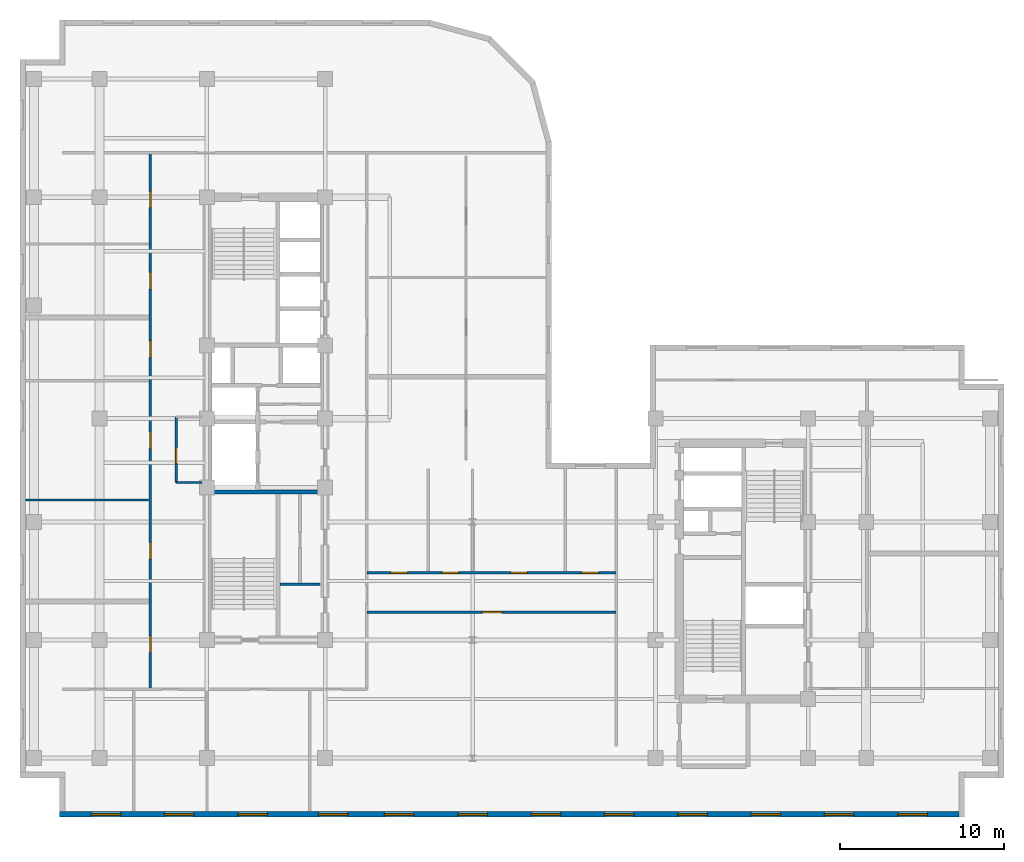
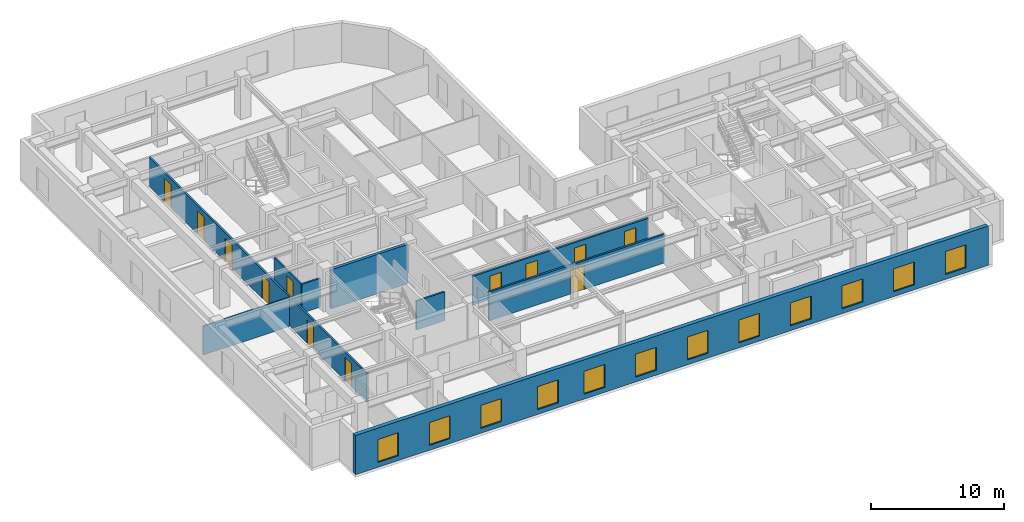
# One storey, part 4 of 11: 12 doors, 12 windows, 9 walls, 24 openings.
"""IFC4 building model written with IfcOpenShell, lengths in metres."""

from ifc_helpers import new_model, entity, si_unit, converted_unit, direction, frame, origin_with_axes, origin_2d_with_axis, place, context, subcontext, project, spatial, polyline, rectangle, outline, extrude, material, layer, layer_set, type_object, element, fill, save


model = new_model("IFC4")

# Units and contexts
model_context = context("Model", 3, precision=1e-05, world=origin_with_axes(), true_north=direction((0.0, 1.0)))
body_context = subcontext(model_context, "Body", "Model", "MODEL_VIEW")
ifc_project = project(units=[si_unit("LENGTHUNIT", "METRE"), si_unit("AREAUNIT", "SQUARE_METRE"), si_unit("VOLUMEUNIT", "CUBIC_METRE"), converted_unit("PLANEANGLEUNIT", "DEGREE", entity("IfcPlaneAngleMeasure", 0.017453292519943295), si_unit("PLANEANGLEUNIT", "RADIAN"), dimensions=[0, 0, 0, 0, 0, 0, 0]), si_unit("MASSUNIT", "GRAM", prefix="KILO"), si_unit("THERMODYNAMICTEMPERATUREUNIT", "KELVIN")], contexts=[model_context])

# Site, building, storey
site_placement = place(None, origin_with_axes())
site = spatial("IfcSite", under=ifc_project, at=site_placement, CompositionType="ELEMENT")
building_placement = place(site_placement, origin_with_axes())
building = spatial("IfcBuilding", under=site, at=building_placement, Name="Varnlund Millrace Tower", CompositionType="ELEMENT")
storey_placement = place(building_placement, frame((0.0, 0.0, 216.0), z_axis=(0.0, 0.0, 1.0), x_axis=(1.0, 0.0, 0.0)))
storey = spatial("IfcBuildingStorey", under=building, at=storey_placement, Name="L53", CompositionType="ELEMENT", Elevation=216.0)

# Wall, openings, windows
ifc_material_1 = material(Name="Precast concrete C50/60", Category="concrete")
ifc_layer_1 = layer(ifc_material_1, 0.34, Name="Precast concrete C50/60")
ifc_layer_set_1 = layer_set([ifc_layer_1], Name="Precast concrete C50/60")
wall_type_1 = type_object("IfcWallType", Name="Type-ExtWall-Precast-Upper-340", PredefinedType="SOLIDWALL", material=ifc_layer_set_1)
wall_1_placement = place(storey_placement, frame((57.26, 0.17, 0.0), z_axis=(0.0, 0.0, 1.0), x_axis=(-1.0, 0.0, 0.0)))
wall_1 = element("IfcWall", 1, at=wall_1_placement, inside=storey, type_object=wall_type_1, Name="Type-ExtWall-Precast-Upper-340", PredefinedType="SOLIDWALL", context=body_context, shape_type="SweptSolid", body=[
    extrude(outline(polyline([(0.0, -0.17), (54.86, -0.17), (54.86, 0.17), (0.0, 0.17), (0.0, -0.17)])), origin_with_axes(), (0.0, 0.0, 1.0), 3.6),
])
opening_1_placement = place(wall_1_placement, frame((2.836, 0.0, 0.45), z_axis=(0.0, 0.0, 1.0), x_axis=(1.0, 0.0, 0.0)))
opening_1 = element("IfcOpeningElement", 2, at=opening_1_placement, cuts=wall_1, Name="Opening L53:WN-08", PredefinedType="OPENING", context=body_context, shape_type="SweptSolid", body=[
    extrude(rectangle(XDim=1.8, YDim=0.36, at=origin_2d_with_axis()), origin_with_axes(), (0.0, 0.0, 1.0), 2.1),
])
opening_2_placement = place(wall_1_placement, frame((7.307, 0.0, 0.45), z_axis=(0.0, 0.0, 1.0), x_axis=(1.0, 0.0, 0.0)))
opening_2 = element("IfcOpeningElement", 3, at=opening_2_placement, cuts=wall_1, Name="Opening L53:WN-09", PredefinedType="OPENING", context=body_context, shape_type="SweptSolid", body=[
    extrude(rectangle(XDim=1.8, YDim=0.36, at=origin_2d_with_axis()), origin_with_axes(), (0.0, 0.0, 1.0), 2.1),
])
opening_3_placement = place(wall_1_placement, frame((11.779, 0.0, 0.45), z_axis=(0.0, 0.0, 1.0), x_axis=(1.0, 0.0, 0.0)))
opening_3 = element("IfcOpeningElement", 4, at=opening_3_placement, cuts=wall_1, Name="Opening L53:WN-10", PredefinedType="OPENING", context=body_context, shape_type="SweptSolid", body=[
    extrude(rectangle(XDim=1.8, YDim=0.36, at=origin_2d_with_axis()), origin_with_axes(), (0.0, 0.0, 1.0), 2.1),
])
opening_4_placement = place(wall_1_placement, frame((16.251, 0.0, 0.45), z_axis=(0.0, 0.0, 1.0), x_axis=(1.0, 0.0, 0.0)))
opening_4 = element("IfcOpeningElement", 5, at=opening_4_placement, cuts=wall_1, Name="Opening L53:WN-11", PredefinedType="OPENING", context=body_context, shape_type="SweptSolid", body=[
    extrude(rectangle(XDim=1.8, YDim=0.36, at=origin_2d_with_axis()), origin_with_axes(), (0.0, 0.0, 1.0), 2.1),
])
opening_5_placement = place(wall_1_placement, frame((20.723, 0.0, 0.45), z_axis=(0.0, 0.0, 1.0), x_axis=(1.0, 0.0, 0.0)))
opening_5 = element("IfcOpeningElement", 6, at=opening_5_placement, cuts=wall_1, Name="Opening L53:WN-12", PredefinedType="OPENING", context=body_context, shape_type="SweptSolid", body=[
    extrude(rectangle(XDim=1.8, YDim=0.36, at=origin_2d_with_axis()), origin_with_axes(), (0.0, 0.0, 1.0), 2.1),
])
opening_6_placement = place(wall_1_placement, frame((25.194, 0.0, 0.45), z_axis=(0.0, 0.0, 1.0), x_axis=(1.0, 0.0, 0.0)))
opening_6 = element("IfcOpeningElement", 7, at=opening_6_placement, cuts=wall_1, Name="Opening L53:WN-13", PredefinedType="OPENING", context=body_context, shape_type="SweptSolid", body=[
    extrude(rectangle(XDim=1.8, YDim=0.36, at=origin_2d_with_axis()), origin_with_axes(), (0.0, 0.0, 1.0), 2.1),
])
opening_7_placement = place(wall_1_placement, frame((29.666, 0.0, 0.45), z_axis=(0.0, 0.0, 1.0), x_axis=(1.0, 0.0, 0.0)))
opening_7 = element("IfcOpeningElement", 8, at=opening_7_placement, cuts=wall_1, Name="Opening L53:WN-14", PredefinedType="OPENING", context=body_context, shape_type="SweptSolid", body=[
    extrude(rectangle(XDim=1.8, YDim=0.36, at=origin_2d_with_axis()), origin_with_axes(), (0.0, 0.0, 1.0), 2.1),
])
opening_8_placement = place(wall_1_placement, frame((34.138, 0.0, 0.45), z_axis=(0.0, 0.0, 1.0), x_axis=(1.0, 0.0, 0.0)))
opening_8 = element("IfcOpeningElement", 9, at=opening_8_placement, cuts=wall_1, Name="Opening L53:WN-15", PredefinedType="OPENING", context=body_context, shape_type="SweptSolid", body=[
    extrude(rectangle(XDim=1.8, YDim=0.36, at=origin_2d_with_axis()), origin_with_axes(), (0.0, 0.0, 1.0), 2.1),
])
opening_9_placement = place(wall_1_placement, frame((38.159, 0.0, 0.45), z_axis=(0.0, 0.0, 1.0), x_axis=(1.0, 0.0, 0.0)))
opening_9 = element("IfcOpeningElement", 10, at=opening_9_placement, cuts=wall_1, Name="Opening L53:WN-16", PredefinedType="OPENING", context=body_context, shape_type="SweptSolid", body=[
    extrude(rectangle(XDim=1.8, YDim=0.36, at=origin_2d_with_axis()), origin_with_axes(), (0.0, 0.0, 1.0), 2.1),
])
opening_10_placement = place(wall_1_placement, frame((43.081, 0.0, 0.45), z_axis=(0.0, 0.0, 1.0), x_axis=(1.0, 0.0, 0.0)))
opening_10 = element("IfcOpeningElement", 11, at=opening_10_placement, cuts=wall_1, Name="Opening L53:WN-17", PredefinedType="OPENING", context=body_context, shape_type="SweptSolid", body=[
    extrude(rectangle(XDim=1.8, YDim=0.36, at=origin_2d_with_axis()), origin_with_axes(), (0.0, 0.0, 1.0), 2.1),
])
opening_11_placement = place(wall_1_placement, frame((47.553, 0.0, 0.45), z_axis=(0.0, 0.0, 1.0), x_axis=(1.0, 0.0, 0.0)))
opening_11 = element("IfcOpeningElement", 12, at=opening_11_placement, cuts=wall_1, Name="Opening L53:WN-18", PredefinedType="OPENING", context=body_context, shape_type="SweptSolid", body=[
    extrude(rectangle(XDim=1.8, YDim=0.36, at=origin_2d_with_axis()), origin_with_axes(), (0.0, 0.0, 1.0), 2.1),
])
opening_12_placement = place(wall_1_placement, frame((52.024, 0.0, 0.45), z_axis=(0.0, 0.0, 1.0), x_axis=(1.0, 0.0, 0.0)))
opening_12 = element("IfcOpeningElement", 13, at=opening_12_placement, cuts=wall_1, Name="Opening L53:WN-19", PredefinedType="OPENING", context=body_context, shape_type="SweptSolid", body=[
    extrude(rectangle(XDim=1.8, YDim=0.36, at=origin_2d_with_axis()), origin_with_axes(), (0.0, 0.0, 1.0), 2.1),
])
ifc_material_2 = material(Name="Argon low-e triple glazing in thermally broken bronze frame", Category="glass")
window_type = type_object("IfcWindowType", Name="Type-Window-Punched-1800X2100", PartitioningType="SINGLE_PANEL", PredefinedType="WINDOW", material=ifc_material_2)
window_1_placement = place(wall_1_placement, frame((2.836, 0.0, 0.45), z_axis=(0.0, 0.0, 1.0), x_axis=(1.0, 0.0, 0.0)))
window_1 = element("IfcWindow", 14, at=window_1_placement, inside=storey, type_object=window_type, Name="Type-Window-Punched-1800X2100", OverallHeight=2.1, OverallWidth=1.8, PredefinedType="WINDOW", context=body_context, shape_type="SweptSolid", body=[
    extrude(rectangle(XDim=1.8, YDim=0.09, at=origin_2d_with_axis()), origin_with_axes(), (0.0, 0.0, 1.0), 2.1),
])
fill(opening_1, window_1)
window_2_placement = place(wall_1_placement, frame((7.307, 0.0, 0.45), z_axis=(0.0, 0.0, 1.0), x_axis=(1.0, 0.0, 0.0)))
window_2 = element("IfcWindow", 15, at=window_2_placement, inside=storey, type_object=window_type, Name="Type-Window-Punched-1800X2100", OverallHeight=2.1, OverallWidth=1.8, PredefinedType="WINDOW", context=body_context, shape_type="SweptSolid", body=[
    extrude(rectangle(XDim=1.8, YDim=0.09, at=origin_2d_with_axis()), origin_with_axes(), (0.0, 0.0, 1.0), 2.1),
])
fill(opening_2, window_2)
window_3_placement = place(wall_1_placement, frame((11.779, 0.0, 0.45), z_axis=(0.0, 0.0, 1.0), x_axis=(1.0, 0.0, 0.0)))
window_3 = element("IfcWindow", 16, at=window_3_placement, inside=storey, type_object=window_type, Name="Type-Window-Punched-1800X2100", OverallHeight=2.1, OverallWidth=1.8, PredefinedType="WINDOW", context=body_context, shape_type="SweptSolid", body=[
    extrude(rectangle(XDim=1.8, YDim=0.09, at=origin_2d_with_axis()), origin_with_axes(), (0.0, 0.0, 1.0), 2.1),
])
fill(opening_3, window_3)
window_4_placement = place(wall_1_placement, frame((16.251, 0.0, 0.45), z_axis=(0.0, 0.0, 1.0), x_axis=(1.0, 0.0, 0.0)))
window_4 = element("IfcWindow", 17, at=window_4_placement, inside=storey, type_object=window_type, Name="Type-Window-Punched-1800X2100", OverallHeight=2.1, OverallWidth=1.8, PredefinedType="WINDOW", context=body_context, shape_type="SweptSolid", body=[
    extrude(rectangle(XDim=1.8, YDim=0.09, at=origin_2d_with_axis()), origin_with_axes(), (0.0, 0.0, 1.0), 2.1),
])
fill(opening_4, window_4)
window_5_placement = place(wall_1_placement, frame((20.723, 0.0, 0.45), z_axis=(0.0, 0.0, 1.0), x_axis=(1.0, 0.0, 0.0)))
window_5 = element("IfcWindow", 18, at=window_5_placement, inside=storey, type_object=window_type, Name="Type-Window-Punched-1800X2100", OverallHeight=2.1, OverallWidth=1.8, PredefinedType="WINDOW", context=body_context, shape_type="SweptSolid", body=[
    extrude(rectangle(XDim=1.8, YDim=0.09, at=origin_2d_with_axis()), origin_with_axes(), (0.0, 0.0, 1.0), 2.1),
])
fill(opening_5, window_5)
window_6_placement = place(wall_1_placement, frame((25.194, 0.0, 0.45), z_axis=(0.0, 0.0, 1.0), x_axis=(1.0, 0.0, 0.0)))
window_6 = element("IfcWindow", 19, at=window_6_placement, inside=storey, type_object=window_type, Name="Type-Window-Punched-1800X2100", OverallHeight=2.1, OverallWidth=1.8, PredefinedType="WINDOW", context=body_context, shape_type="SweptSolid", body=[
    extrude(rectangle(XDim=1.8, YDim=0.09, at=origin_2d_with_axis()), origin_with_axes(), (0.0, 0.0, 1.0), 2.1),
])
fill(opening_6, window_6)
window_7_placement = place(wall_1_placement, frame((29.666, 0.0, 0.45), z_axis=(0.0, 0.0, 1.0), x_axis=(1.0, 0.0, 0.0)))
window_7 = element("IfcWindow", 20, at=window_7_placement, inside=storey, type_object=window_type, Name="Type-Window-Punched-1800X2100", OverallHeight=2.1, OverallWidth=1.8, PredefinedType="WINDOW", context=body_context, shape_type="SweptSolid", body=[
    extrude(rectangle(XDim=1.8, YDim=0.09, at=origin_2d_with_axis()), origin_with_axes(), (0.0, 0.0, 1.0), 2.1),
])
fill(opening_7, window_7)
window_8_placement = place(wall_1_placement, frame((34.138, 0.0, 0.45), z_axis=(0.0, 0.0, 1.0), x_axis=(1.0, 0.0, 0.0)))
window_8 = element("IfcWindow", 21, at=window_8_placement, inside=storey, type_object=window_type, Name="Type-Window-Punched-1800X2100", OverallHeight=2.1, OverallWidth=1.8, PredefinedType="WINDOW", context=body_context, shape_type="SweptSolid", body=[
    extrude(rectangle(XDim=1.8, YDim=0.09, at=origin_2d_with_axis()), origin_with_axes(), (0.0, 0.0, 1.0), 2.1),
])
fill(opening_8, window_8)
window_9_placement = place(wall_1_placement, frame((38.159, 0.0, 0.45), z_axis=(0.0, 0.0, 1.0), x_axis=(1.0, 0.0, 0.0)))
window_9 = element("IfcWindow", 22, at=window_9_placement, inside=storey, type_object=window_type, Name="Type-Window-Punched-1800X2100", OverallHeight=2.1, OverallWidth=1.8, PredefinedType="WINDOW", context=body_context, shape_type="SweptSolid", body=[
    extrude(rectangle(XDim=1.8, YDim=0.09, at=origin_2d_with_axis()), origin_with_axes(), (0.0, 0.0, 1.0), 2.1),
])
fill(opening_9, window_9)
window_10_placement = place(wall_1_placement, frame((43.081, 0.0, 0.45), z_axis=(0.0, 0.0, 1.0), x_axis=(1.0, 0.0, 0.0)))
window_10 = element("IfcWindow", 23, at=window_10_placement, inside=storey, type_object=window_type, Name="Type-Window-Punched-1800X2100", OverallHeight=2.1, OverallWidth=1.8, PredefinedType="WINDOW", context=body_context, shape_type="SweptSolid", body=[
    extrude(rectangle(XDim=1.8, YDim=0.09, at=origin_2d_with_axis()), origin_with_axes(), (0.0, 0.0, 1.0), 2.1),
])
fill(opening_10, window_10)
window_11_placement = place(wall_1_placement, frame((47.553, 0.0, 0.45), z_axis=(0.0, 0.0, 1.0), x_axis=(1.0, 0.0, 0.0)))
window_11 = element("IfcWindow", 24, at=window_11_placement, inside=storey, type_object=window_type, Name="Type-Window-Punched-1800X2100", OverallHeight=2.1, OverallWidth=1.8, PredefinedType="WINDOW", context=body_context, shape_type="SweptSolid", body=[
    extrude(rectangle(XDim=1.8, YDim=0.09, at=origin_2d_with_axis()), origin_with_axes(), (0.0, 0.0, 1.0), 2.1),
])
fill(opening_11, window_11)
window_12_placement = place(wall_1_placement, frame((52.024, 0.0, 0.45), z_axis=(0.0, 0.0, 1.0), x_axis=(1.0, 0.0, 0.0)))
window_12 = element("IfcWindow", 25, at=window_12_placement, inside=storey, type_object=window_type, Name="Type-Window-Punched-1800X2100", OverallHeight=2.1, OverallWidth=1.8, PredefinedType="WINDOW", context=body_context, shape_type="SweptSolid", body=[
    extrude(rectangle(XDim=1.8, YDim=0.09, at=origin_2d_with_axis()), origin_with_axes(), (0.0, 0.0, 1.0), 2.1),
])
fill(opening_12, window_12)

# Wall
ifc_material_3 = material(Name="Fire-rated gypsum board on cold-formed steel framing", Category="steel")
ifc_layer_2 = layer(ifc_material_3, 0.16, Name="Fire-rated gypsum board on cold-formed steel framing")
ifc_layer_set_2 = layer_set([ifc_layer_2], Name="Fire-rated gypsum board on cold-formed steel framing")
wall_type_2 = type_object("IfcWallType", Name="Type-Partition-Corridor-160", PredefinedType="PARTITIONING", material=ifc_layer_set_2)
wall_2_placement = place(storey_placement, frame((15.84, 14.2, 0.0), z_axis=(0.0, 0.0, 1.0), x_axis=(1.0, 0.0, 0.0)))
element("IfcWall", 26, at=wall_2_placement, inside=storey, type_object=wall_type_2, Name="Type-Partition-Corridor-160", PredefinedType="PARTITIONING", context=body_context, shape_type="SweptSolid", body=[
    extrude(outline(polyline([(0.0, -0.08), (2.46, -0.08), (2.46, 0.08), (0.0, 0.08), (0.0, -0.08)])), origin_with_axes(), (0.0, 0.0, 1.0), 2.64),
])

# Wall, openings, doors
wall_3_placement = place(storey_placement, frame((7.95, 7.8, 0.0), z_axis=(0.0, 0.0, 1.0), x_axis=(0.0, 1.0, 0.0)))
wall_3 = element("IfcWall", 27, at=wall_3_placement, inside=storey, type_object=wall_type_2, Name="Type-Partition-Corridor-160", PredefinedType="PARTITIONING", context=body_context, shape_type="SweptSolid", body=[
    extrude(outline(polyline([(0.0, -0.08), (32.7, -0.08), (32.7, 0.08), (0.0, 0.08), (0.0, -0.08)])), origin_with_axes(), (0.0, 0.0, 1.0), 2.64),
])
opening_13_placement = place(wall_3_placement, frame((2.7385, 0.0, 0.0), z_axis=(0.0, 0.0, 1.0), x_axis=(1.0, 0.0, 0.0)))
opening_13 = element("IfcOpeningElement", 28, at=opening_13_placement, cuts=wall_3, Name="Opening L53:DR-W-01", PredefinedType="OPENING", context=body_context, shape_type="SweptSolid", body=[
    extrude(rectangle(XDim=1.0, YDim=0.18, at=origin_2d_with_axis()), origin_with_axes(), (0.0, 0.0, 1.0), 2.15),
])
opening_14_placement = place(wall_3_placement, frame((8.4415, 0.0, 0.0), z_axis=(0.0, 0.0, 1.0), x_axis=(1.0, 0.0, 0.0)))
opening_14 = element("IfcOpeningElement", 29, at=opening_14_placement, cuts=wall_3, Name="Opening L53:DR-W-02", PredefinedType="OPENING", context=body_context, shape_type="SweptSolid", body=[
    extrude(rectangle(XDim=1.0, YDim=0.18, at=origin_2d_with_axis()), origin_with_axes(), (0.0, 0.0, 1.0), 2.15),
])
opening_15_placement = place(wall_3_placement, frame((15.172, 0.0, 0.0), z_axis=(0.0, 0.0, 1.0), x_axis=(1.0, 0.0, 0.0)))
opening_15 = element("IfcOpeningElement", 30, at=opening_15_placement, cuts=wall_3, Name="Opening L53:DR-W-03", PredefinedType="OPENING", context=body_context, shape_type="SweptSolid", body=[
    extrude(rectangle(XDim=1.0, YDim=0.18, at=origin_2d_with_axis()), origin_with_axes(), (0.0, 0.0, 1.0), 2.15),
])
opening_16_placement = place(wall_3_placement, frame((20.736, 0.0, 0.0), z_axis=(0.0, 0.0, 1.0), x_axis=(1.0, 0.0, 0.0)))
opening_16 = element("IfcOpeningElement", 31, at=opening_16_placement, cuts=wall_3, Name="Opening L53:DR-W-04", PredefinedType="OPENING", context=body_context, shape_type="SweptSolid", body=[
    extrude(rectangle(XDim=1.0, YDim=0.18, at=origin_2d_with_axis()), origin_with_axes(), (0.0, 0.0, 1.0), 2.15),
])
opening_17_placement = place(wall_3_placement, frame((24.909, 0.0, 0.0), z_axis=(0.0, 0.0, 1.0), x_axis=(1.0, 0.0, 0.0)))
opening_17 = element("IfcOpeningElement", 32, at=opening_17_placement, cuts=wall_3, Name="Opening L53:DR-W-05", PredefinedType="OPENING", context=body_context, shape_type="SweptSolid", body=[
    extrude(rectangle(XDim=1.0, YDim=0.18, at=origin_2d_with_axis()), origin_with_axes(), (0.0, 0.0, 1.0), 2.15),
])
opening_18_placement = place(wall_3_placement, frame((29.862, 0.0, 0.0), z_axis=(0.0, 0.0, 1.0), x_axis=(1.0, 0.0, 0.0)))
opening_18 = element("IfcOpeningElement", 33, at=opening_18_placement, cuts=wall_3, Name="Opening L53:DR-W-06", PredefinedType="OPENING", context=body_context, shape_type="SweptSolid", body=[
    extrude(rectangle(XDim=1.0, YDim=0.18, at=origin_2d_with_axis()), origin_with_axes(), (0.0, 0.0, 1.0), 2.15),
])
ifc_material_4 = material(Name="Solid-core white oak and bronze frame door")
door_type_1 = type_object("IfcDoorType", Name="Type-IntDoor-Office-1000X2150", OperationType="NOTDEFINED", PredefinedType="DOOR", material=ifc_material_4)
door_1_placement = place(wall_3_placement, frame((2.7385, 0.0, 0.0), z_axis=(0.0, 0.0, 1.0), x_axis=(1.0, 0.0, 0.0)))
door_1 = element("IfcDoor", 34, at=door_1_placement, inside=storey, type_object=door_type_1, Name="Type-IntDoor-Office-1000X2150", OperationType="SINGLE_SWING_LEFT", OverallHeight=2.15, OverallWidth=1.0, PredefinedType="DOOR", context=body_context, shape_type="SweptSolid", body=[
    extrude(rectangle(XDim=1.0, YDim=0.09, at=origin_2d_with_axis()), origin_with_axes(), (0.0, 0.0, 1.0), 2.15),
])
fill(opening_13, door_1)
door_2_placement = place(wall_3_placement, frame((8.4415, 0.0, 0.0), z_axis=(0.0, 0.0, 1.0), x_axis=(1.0, 0.0, 0.0)))
door_2 = element("IfcDoor", 35, at=door_2_placement, inside=storey, type_object=door_type_1, Name="Type-IntDoor-Office-1000X2150", OperationType="SINGLE_SWING_RIGHT", OverallHeight=2.15, OverallWidth=1.0, PredefinedType="DOOR", context=body_context, shape_type="SweptSolid", body=[
    extrude(rectangle(XDim=1.0, YDim=0.09, at=origin_2d_with_axis()), origin_with_axes(), (0.0, 0.0, 1.0), 2.15),
])
fill(opening_14, door_2)
door_3_placement = place(wall_3_placement, frame((15.172, 0.0, 0.0), z_axis=(0.0, 0.0, 1.0), x_axis=(1.0, 0.0, 0.0)))
door_3 = element("IfcDoor", 36, at=door_3_placement, inside=storey, type_object=door_type_1, Name="Type-IntDoor-Office-1000X2150", OperationType="SINGLE_SWING_LEFT", OverallHeight=2.15, OverallWidth=1.0, PredefinedType="DOOR", context=body_context, shape_type="SweptSolid", body=[
    extrude(rectangle(XDim=1.0, YDim=0.09, at=origin_2d_with_axis()), origin_with_axes(), (0.0, 0.0, 1.0), 2.15),
])
fill(opening_15, door_3)
door_4_placement = place(wall_3_placement, frame((20.736, 0.0, 0.0), z_axis=(0.0, 0.0, 1.0), x_axis=(1.0, 0.0, 0.0)))
door_4 = element("IfcDoor", 37, at=door_4_placement, inside=storey, type_object=door_type_1, Name="Type-IntDoor-Office-1000X2150", OperationType="SINGLE_SWING_RIGHT", OverallHeight=2.15, OverallWidth=1.0, PredefinedType="DOOR", context=body_context, shape_type="SweptSolid", body=[
    extrude(rectangle(XDim=1.0, YDim=0.09, at=origin_2d_with_axis()), origin_with_axes(), (0.0, 0.0, 1.0), 2.15),
])
fill(opening_16, door_4)
door_5_placement = place(wall_3_placement, frame((24.909, 0.0, 0.0), z_axis=(0.0, 0.0, 1.0), x_axis=(1.0, 0.0, 0.0)))
door_5 = element("IfcDoor", 38, at=door_5_placement, inside=storey, type_object=door_type_1, Name="Type-IntDoor-Office-1000X2150", OperationType="SINGLE_SWING_LEFT", OverallHeight=2.15, OverallWidth=1.0, PredefinedType="DOOR", context=body_context, shape_type="SweptSolid", body=[
    extrude(rectangle(XDim=1.0, YDim=0.09, at=origin_2d_with_axis()), origin_with_axes(), (0.0, 0.0, 1.0), 2.15),
])
fill(opening_17, door_5)
door_6_placement = place(wall_3_placement, frame((29.862, 0.0, 0.0), z_axis=(0.0, 0.0, 1.0), x_axis=(1.0, 0.0, 0.0)))
door_6 = element("IfcDoor", 39, at=door_6_placement, inside=storey, type_object=door_type_1, Name="Type-IntDoor-Office-1000X2150", OperationType="SINGLE_SWING_RIGHT", OverallHeight=2.15, OverallWidth=1.0, PredefinedType="DOOR", context=body_context, shape_type="SweptSolid", body=[
    extrude(rectangle(XDim=1.0, YDim=0.09, at=origin_2d_with_axis()), origin_with_axes(), (0.0, 0.0, 1.0), 2.15),
])
fill(opening_18, door_6)

# Wall, opening, door
wall_4_placement = place(storey_placement, frame((21.15, 12.5, 0.0), z_axis=(0.0, 0.0, 1.0), x_axis=(1.0, 0.0, 0.0)))
wall_4 = element("IfcWall", 40, at=wall_4_placement, inside=storey, type_object=wall_type_2, Name="Type-Partition-Corridor-160", PredefinedType="PARTITIONING", context=body_context, shape_type="SweptSolid", body=[
    extrude(outline(polyline([(0.0, -0.08), (15.2, -0.08), (15.2, 0.08), (0.0, 0.08), (0.0, -0.08)])), origin_with_axes(), (0.0, 0.0, 1.0), 2.64),
])
opening_19_placement = place(wall_4_placement, frame((7.65, 0.0, 0.0), z_axis=(0.0, 0.0, 1.0), x_axis=(1.0, 0.0, 0.0)))
opening_19 = element("IfcOpeningElement", 41, at=opening_19_placement, cuts=wall_4, Name="Opening L53:DR-KNS-01", PredefinedType="OPENING", context=body_context, shape_type="SweptSolid", body=[
    extrude(rectangle(XDim=1.2, YDim=0.18, at=origin_2d_with_axis()), origin_with_axes(), (0.0, 0.0, 1.0), 2.2),
])
ifc_material_5 = material(Name="Wide executive white oak acoustic door")
door_type_2 = type_object("IfcDoorType", Name="Type-IntDoor-Exec-1200X2200", OperationType="NOTDEFINED", PredefinedType="DOOR", material=ifc_material_5)
door_7_placement = place(wall_4_placement, frame((7.65, 0.0, 0.0), z_axis=(0.0, 0.0, 1.0), x_axis=(1.0, 0.0, 0.0)))
door_7 = element("IfcDoor", 42, at=door_7_placement, inside=storey, type_object=door_type_2, Name="Type-IntDoor-Exec-1200X2200", OperationType="SINGLE_SWING_LEFT", OverallHeight=2.2, OverallWidth=1.2, PredefinedType="DOOR", context=body_context, shape_type="SweptSolid", body=[
    extrude(rectangle(XDim=1.2, YDim=0.09, at=origin_2d_with_axis()), origin_with_axes(), (0.0, 0.0, 1.0), 2.2),
])
fill(opening_19, door_7)

# Wall, openings, doors
wall_5_placement = place(storey_placement, frame((21.15, 14.9, 0.0), z_axis=(0.0, 0.0, 1.0), x_axis=(1.0, 0.0, 0.0)))
wall_5 = element("IfcWall", 43, at=wall_5_placement, inside=storey, type_object=wall_type_2, Name="Type-Partition-Corridor-160", PredefinedType="PARTITIONING", context=body_context, shape_type="SweptSolid", body=[
    extrude(outline(polyline([(0.0, -0.08), (15.2, -0.08), (15.2, 0.08), (0.0, 0.08), (0.0, -0.08)])), origin_with_axes(), (0.0, 0.0, 1.0), 2.64),
])
opening_20_placement = place(wall_5_placement, frame((1.964, 0.0, 0.0), z_axis=(0.0, 0.0, 1.0), x_axis=(1.0, 0.0, 0.0)))
opening_20 = element("IfcOpeningElement", 44, at=opening_20_placement, cuts=wall_5, Name="Opening L53:DR-KN-01", PredefinedType="OPENING", context=body_context, shape_type="SweptSolid", body=[
    extrude(rectangle(XDim=1.0, YDim=0.18, at=origin_2d_with_axis()), origin_with_axes(), (0.0, 0.0, 1.0), 2.15),
])
opening_21_placement = place(wall_5_placement, frame((5.099, 0.0, 0.0), z_axis=(0.0, 0.0, 1.0), x_axis=(1.0, 0.0, 0.0)))
opening_21 = element("IfcOpeningElement", 45, at=opening_21_placement, cuts=wall_5, Name="Opening L53:DR-KN-02", PredefinedType="OPENING", context=body_context, shape_type="SweptSolid", body=[
    extrude(rectangle(XDim=1.0, YDim=0.18, at=origin_2d_with_axis()), origin_with_axes(), (0.0, 0.0, 1.0), 2.15),
])
opening_22_placement = place(wall_5_placement, frame((9.279, 0.0, 0.0), z_axis=(0.0, 0.0, 1.0), x_axis=(1.0, 0.0, 0.0)))
opening_22 = element("IfcOpeningElement", 46, at=opening_22_placement, cuts=wall_5, Name="Opening L53:DR-KN-03", PredefinedType="OPENING", context=body_context, shape_type="SweptSolid", body=[
    extrude(rectangle(XDim=1.0, YDim=0.18, at=origin_2d_with_axis()), origin_with_axes(), (0.0, 0.0, 1.0), 2.15),
])
opening_23_placement = place(wall_5_placement, frame((13.614, 0.0, 0.0), z_axis=(0.0, 0.0, 1.0), x_axis=(1.0, 0.0, 0.0)))
opening_23 = element("IfcOpeningElement", 47, at=opening_23_placement, cuts=wall_5, Name="Opening L53:DR-KN-04", PredefinedType="OPENING", context=body_context, shape_type="SweptSolid", body=[
    extrude(rectangle(XDim=1.0, YDim=0.18, at=origin_2d_with_axis()), origin_with_axes(), (0.0, 0.0, 1.0), 2.15),
])
door_8_placement = place(wall_5_placement, frame((1.964, 0.0, 0.0), z_axis=(0.0, 0.0, 1.0), x_axis=(1.0, 0.0, 0.0)))
door_8 = element("IfcDoor", 48, at=door_8_placement, inside=storey, type_object=door_type_1, Name="Type-IntDoor-Office-1000X2150", OperationType="SINGLE_SWING_LEFT", OverallHeight=2.15, OverallWidth=1.0, PredefinedType="DOOR", context=body_context, shape_type="SweptSolid", body=[
    extrude(rectangle(XDim=1.0, YDim=0.09, at=origin_2d_with_axis()), origin_with_axes(), (0.0, 0.0, 1.0), 2.15),
])
fill(opening_20, door_8)
door_9_placement = place(wall_5_placement, frame((5.099, 0.0, 0.0), z_axis=(0.0, 0.0, 1.0), x_axis=(1.0, 0.0, 0.0)))
door_9 = element("IfcDoor", 49, at=door_9_placement, inside=storey, type_object=door_type_1, Name="Type-IntDoor-Office-1000X2150", OperationType="SINGLE_SWING_RIGHT", OverallHeight=2.15, OverallWidth=1.0, PredefinedType="DOOR", context=body_context, shape_type="SweptSolid", body=[
    extrude(rectangle(XDim=1.0, YDim=0.09, at=origin_2d_with_axis()), origin_with_axes(), (0.0, 0.0, 1.0), 2.15),
])
fill(opening_21, door_9)
door_10_placement = place(wall_5_placement, frame((9.279, 0.0, 0.0), z_axis=(0.0, 0.0, 1.0), x_axis=(1.0, 0.0, 0.0)))
door_10 = element("IfcDoor", 50, at=door_10_placement, inside=storey, type_object=door_type_1, Name="Type-IntDoor-Office-1000X2150", OperationType="SINGLE_SWING_LEFT", OverallHeight=2.15, OverallWidth=1.0, PredefinedType="DOOR", context=body_context, shape_type="SweptSolid", body=[
    extrude(rectangle(XDim=1.0, YDim=0.09, at=origin_2d_with_axis()), origin_with_axes(), (0.0, 0.0, 1.0), 2.15),
])
fill(opening_22, door_10)
door_11_placement = place(wall_5_placement, frame((13.614, 0.0, 0.0), z_axis=(0.0, 0.0, 1.0), x_axis=(1.0, 0.0, 0.0)))
door_11 = element("IfcDoor", 51, at=door_11_placement, inside=storey, type_object=door_type_1, Name="Type-IntDoor-Office-1000X2150", OperationType="SINGLE_SWING_RIGHT", OverallHeight=2.15, OverallWidth=1.0, PredefinedType="DOOR", context=body_context, shape_type="SweptSolid", body=[
    extrude(rectangle(XDim=1.0, YDim=0.09, at=origin_2d_with_axis()), origin_with_axes(), (0.0, 0.0, 1.0), 2.15),
])
fill(opening_23, door_11)

# Wall
ifc_material_6 = material(Name="Gypsum board tenant partition", Category="gypsum")
ifc_layer_3 = layer(ifc_material_6, 0.125, Name="Gypsum board tenant partition")
ifc_layer_set_3 = layer_set([ifc_layer_3], Name="Gypsum board tenant partition")
wall_type_3 = type_object("IfcWallType", Name="Type-Partition-Tenant-125", PredefinedType="PARTITIONING", material=ifc_layer_set_3)
wall_6_placement = place(storey_placement, frame((0.335, 19.336, 0.0), z_axis=(0.0, 0.0, 1.0), x_axis=(1.0, 0.0, 0.0)))
element("IfcWall", 52, at=wall_6_placement, inside=storey, type_object=wall_type_3, Name="Type-Partition-Tenant-125", PredefinedType="PARTITIONING", context=body_context, shape_type="SweptSolid", body=[
    extrude(outline(polyline([(0.0, -0.0625), (7.495, -0.0625), (7.495, 0.0625), (0.0, 0.0625), (0.0, -0.0625)])), origin_with_axes(), (0.0, 0.0, 1.0), 2.64),
])

# Wall, opening, door
ifc_material_7 = material(Name="Moisture-resistant gypsum restroom partition", Category="gypsum")
ifc_layer_4 = layer(ifc_material_7, 0.14, Name="Moisture-resistant gypsum restroom partition")
ifc_layer_set_4 = layer_set([ifc_layer_4], Name="Moisture-resistant gypsum restroom partition")
wall_type_4 = type_object("IfcWallType", Name="Type-Partition-Wet-140", PredefinedType="PARTITIONING", material=ifc_layer_set_4)
wall_7_placement = place(storey_placement, frame((9.52, 20.4, 0.0), z_axis=(0.0, 0.0, 1.0), x_axis=(0.0, 1.0, 0.0)))
wall_7 = element("IfcWall", 53, at=wall_7_placement, inside=storey, type_object=wall_type_4, Name="Type-Partition-Wet-140", PredefinedType="PARTITIONING", context=body_context, shape_type="SweptSolid", body=[
    extrude(outline(polyline([(0.0, -0.07), (4.0, -0.07), (4.0, 0.07), (0.0, 0.07), (0.0, -0.07)])), origin_with_axes(), (0.0, 0.0, 1.0), 2.64),
])
opening_24_placement = place(wall_7_placement, frame((1.625, 0.0, 0.0), z_axis=(0.0, 0.0, 1.0), x_axis=(1.0, 0.0, 0.0)))
opening_24 = element("IfcOpeningElement", 54, at=opening_24_placement, cuts=wall_7, Name="Opening L53:DR-CA-WCW", PredefinedType="OPENING", context=body_context, shape_type="SweptSolid", body=[
    extrude(rectangle(XDim=0.95, YDim=0.16, at=origin_2d_with_axis()), origin_with_axes(), (0.0, 0.0, 1.0), 2.15),
])
ifc_material_8 = material(Name="Solid-core acoustic office door")
door_type_3 = type_object("IfcDoorType", Name="Type-IntDoor-Tenant-950X2150", OperationType="NOTDEFINED", PredefinedType="DOOR", material=ifc_material_8)
door_12_placement = place(wall_7_placement, frame((1.625, 0.0, 0.0), z_axis=(0.0, 0.0, 1.0), x_axis=(1.0, 0.0, 0.0)))
door_12 = element("IfcDoor", 55, at=door_12_placement, inside=storey, type_object=door_type_3, Name="Type-IntDoor-Tenant-950X2150", OperationType="SINGLE_SWING_LEFT", OverallHeight=2.15, OverallWidth=0.95, PredefinedType="DOOR", context=body_context, shape_type="SweptSolid", body=[
    extrude(rectangle(XDim=0.95, YDim=0.084, at=origin_2d_with_axis()), origin_with_axes(), (0.0, 0.0, 1.0), 2.15),
])
fill(opening_24, door_12)

# Walls
wall_8_placement = place(storey_placement, frame((9.52, 20.4, 0.0), z_axis=(0.0, 0.0, 1.0), x_axis=(1.0, 0.0, 0.0)))
element("IfcWall", 56, at=wall_8_placement, inside=storey, type_object=wall_type_4, Name="Type-Partition-Wet-140", PredefinedType="PARTITIONING", context=body_context, shape_type="SweptSolid", body=[
    extrude(outline(polyline([(0.0, -0.07), (1.58, -0.07), (1.58, 0.07), (0.0, 0.07), (0.0, -0.07)])), origin_with_axes(), (0.0, 0.0, 1.0), 2.64),
])
ifc_material_9 = material(Name="Concrete C60/75", Category="concrete")
ifc_layer_5 = layer(ifc_material_9, 0.25, Name="Concrete C60/75")
ifc_layer_set_5 = layer_set([ifc_layer_5], Name="Concrete C60/75")
wall_type_5 = type_object("IfcWallType", Name="Type-StairWall-Shear-250", PredefinedType="SHEAR", material=ifc_layer_set_5)
wall_9_placement = place(storey_placement, frame((11.65, 19.825, 0.0), z_axis=(0.0, 0.0, 1.0), x_axis=(1.0, 0.0, 0.0)))
element("IfcWall", 57, at=wall_9_placement, inside=storey, type_object=wall_type_5, Name="Type-StairWall-Shear-250", PredefinedType="SHEAR", context=body_context, shape_type="SweptSolid", body=[
    extrude(outline(polyline([(0.0, -0.125), (6.7, -0.125), (6.7, 0.125), (0.0, 0.125), (0.0, -0.125)])), origin_with_axes(), (0.0, 0.0, 1.0), 3.6),
])

save(model, "model.ifc")
